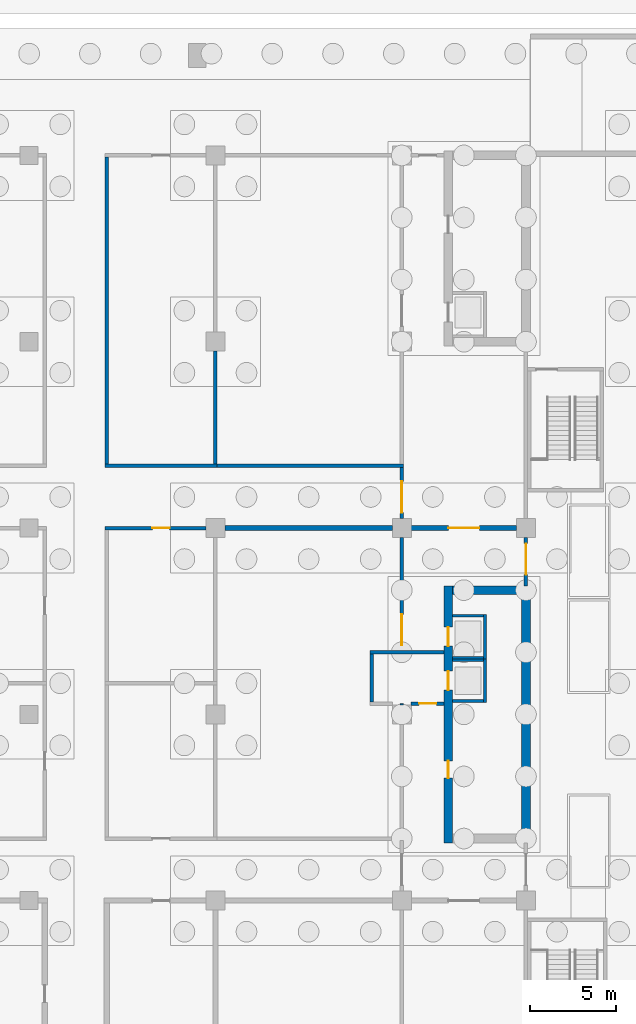
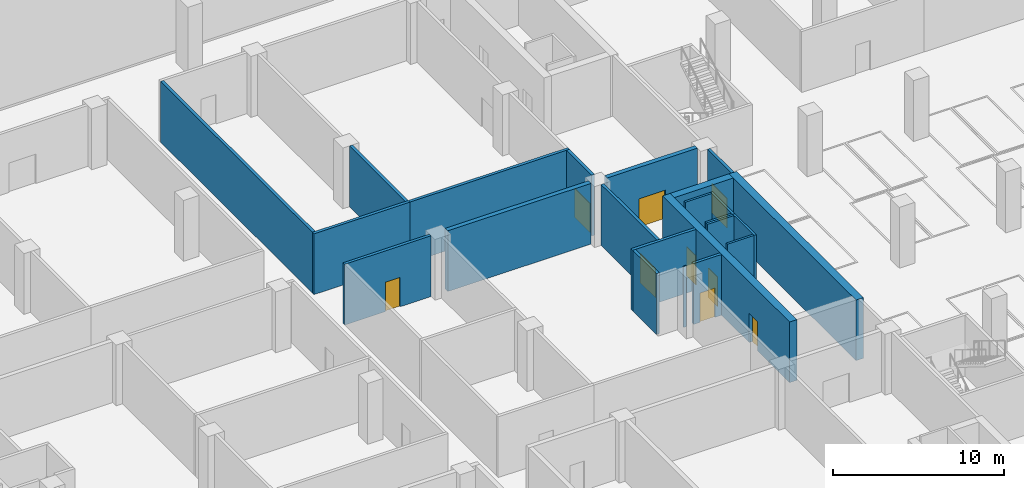
# One storey, part 9 of 18: 23 walls, 9 doors, 9 openings.
"""IFC4 building model written with IfcOpenShell, lengths in metres."""

from ifc_helpers import new_model, si_unit, direction, frame, frame_2d, origin, place, context, subcontext, project, spatial, rectangle, extrude, material, layer, layer_set, type_object, element, fill, save


model = new_model("IFC4")

# Units and contexts
model_context = context("Model", 3, precision=1e-05, world=origin(), true_north=direction((0.0, 1.0)))
body_context = subcontext(model_context, "Body", "Model", "MODEL_VIEW")
ifc_project = project(units=[si_unit("LENGTHUNIT", "METRE"), si_unit("AREAUNIT", "SQUARE_METRE"), si_unit("VOLUMEUNIT", "CUBIC_METRE"), si_unit("PLANEANGLEUNIT", "RADIAN"), si_unit("MASSUNIT", "GRAM", prefix="KILO")], contexts=[model_context])

# Site, building, storey
site_placement = place(None, origin())
site = spatial("IfcSite", under=ifc_project, at=site_placement, CompositionType="ELEMENT")
building_placement = place(site_placement, origin())
building = spatial("IfcBuilding", under=site, at=building_placement, Name="Basin Gate Institute", CompositionType="ELEMENT")
storey_placement = place(building_placement, frame((0.0, 0.0, -9.60009765625)))
storey = spatial("IfcBuildingStorey", under=building, at=storey_placement, Name="B2", CompositionType="ELEMENT", Elevation=-9.60009765625)

# Wall, opening, door
ifc_material_1 = material(Name="Concrete 50 MPa", Category="concrete")
ifc_layer_1 = layer(ifc_material_1, 0.199951171875)
ifc_layer_set_1 = layer_set([ifc_layer_1], Name="Concrete 50 MPa")
wall_type_1 = type_object("IfcWallType", Name="Basement bearing wall W66 REI 180", PredefinedType="SOLIDWALL", material=ifc_layer_set_1)
wall_1_placement = place(storey_placement, frame((118.800048828125, 74.949951171875, 0.0), z_axis=(0.0, 0.0, 1.0), x_axis=(0.0, 1.0, 0.0)))
wall_1 = element("IfcWall", 1, at=wall_1_placement, inside=storey, type_object=wall_type_1, material=ifc_layer_set_1, Name="Service Corridor B2 East bearing wall", PredefinedType="SOLIDWALL", context=body_context, shape_type="SweptSolid", body=[
    extrude(rectangle(XDim=2.800048828125, YDim=0.199951171875, at=frame_2d((1.39990234375, 0.0))), origin(), (0.0, 0.0, 1.0), 4.35009765625),
])
opening_1_placement = place(wall_1_placement, frame((0.64990234375, 0.0, 0.0)))
opening_1 = element("IfcOpeningElement", 2, at=opening_1_placement, cuts=wall_1, Name="Opening DB228", PredefinedType="OPENING", context=body_context, shape_type="SweptSolid", body=[
    extrude(rectangle(XDim=1.800048828125, YDim=2.10009765625, at=frame_2d((0.89990234375, 1.050048828125))), frame((0.0, 0.10986328125, 0.0), z_axis=(0.0, -1.0, 0.0), x_axis=(1.0, 0.0, 0.0)), (0.0, 0.0, 1.0), 0.219970703125),
])
ifc_material_2 = material(Name="Steel door set", Category="steel")
door_type_1 = type_object("IfcDoorType", Name="Double fire door FD120 1800x2100", OperationType="DOUBLE_DOOR_SINGLE_SWING", PredefinedType="DOOR", material=ifc_material_2)
door_1_placement = place(opening_1_placement, origin())
door_1 = element("IfcDoor", 3, at=door_1_placement, inside=storey, type_object=door_type_1, material=ifc_material_2, Name="Door DB228 Service Corridor B2 East", OperationType="DOUBLE_DOOR_SINGLE_SWING", OverallHeight=2.10009765625, OverallWidth=1.800048828125, PredefinedType="DOOR", context=body_context, shape_type="SweptSolid", body=[
    extrude(rectangle(XDim=1.800048828125, YDim=2.10009765625, at=frame_2d((0.89990234375, 1.050048828125))), frame((0.0, 0.02490234375, 0.0), z_axis=(0.0, -1.0, 0.0), x_axis=(1.0, 0.0, 0.0)), (0.0, 0.0, 1.0), 0.050048828125),
])
fill(opening_1, door_1)

ifc_material_3 = material(Name="Blockwork", Category="masonry")
ifc_layer_2 = layer(ifc_material_3, 0.199951171875)
ifc_layer_set_2 = layer_set([ifc_layer_2], Name="Basement fire partition EI 120")
wall_type_2 = type_object("IfcWallType", Name="Basement fire partition EI 120", PredefinedType="PARTITIONING", material=ifc_layer_set_2)
wall_2_placement = place(storey_placement, frame((94.39990234375, 78.300048828125, 0.0), z_axis=(0.0, 0.0, 1.0), x_axis=(1.0, 0.0, 0.0)))
wall_2 = element("IfcWall", 4, at=wall_2_placement, inside=storey, type_object=wall_type_2, material=ifc_layer_set_2, Name="Process Gas Store fire-resisting wall", PredefinedType="PARTITIONING", context=body_context, shape_type="SweptSolid", body=[
    extrude(rectangle(XDim=5.85009765625, YDim=0.199951171875, at=frame_2d((2.925048828125, 0.0))), origin(), (0.0, 0.0, 1.0), 4.35009765625),
])
opening_2_placement = place(wall_2_placement, frame((2.75, 0.0, 0.0)))
opening_2 = element("IfcOpeningElement", 5, at=opening_2_placement, cuts=wall_2, Name="Opening DB208", PredefinedType="OPENING", context=body_context, shape_type="SweptSolid", body=[
    extrude(rectangle(XDim=1.0, YDim=2.10009765625, at=frame_2d((0.5, 1.050048828125))), frame((0.0, 0.10986328125, 0.0), z_axis=(0.0, -1.0, 0.0), x_axis=(1.0, 0.0, 0.0)), (0.0, 0.0, 1.0), 0.219970703125),
])
ifc_material_4 = material(Name="Steel door set", Category="steel")
door_type_2 = type_object("IfcDoorType", Name="Fire door FD120 1000x2100", OperationType="NOTDEFINED", PredefinedType="DOOR", material=ifc_material_4)
door_2_placement = place(opening_2_placement, frame((1.0, 0.0, 0.0), z_axis=(0.0, 0.0, 1.0), x_axis=(-1.0, 0.0, 0.0)))
door_2 = element("IfcDoor", 6, at=door_2_placement, inside=storey, type_object=door_type_2, material=ifc_material_4, Name="Door DB208 Process Gas Store", OperationType="SINGLE_SWING_LEFT", OverallHeight=2.10009765625, OverallWidth=1.0, PredefinedType="DOOR", context=body_context, shape_type="SweptSolid", body=[
    extrude(rectangle(XDim=1.0, YDim=2.10009765625, at=frame_2d((0.5, 1.050048828125))), frame((0.0, 0.02490234375, 0.0), z_axis=(0.0, -1.0, 0.0), x_axis=(1.0, 0.0, 0.0)), (0.0, 0.0, 1.0), 0.050048828125),
])
fill(opening_2, door_2)

# Walls
wall_3_placement = place(storey_placement, frame((94.39990234375, 81.89990234375, 0.0), z_axis=(0.0, 0.0, 1.0), x_axis=(1.0, 0.0, 0.0)))
element("IfcWall", 7, at=wall_3_placement, inside=storey, type_object=wall_type_2, material=ifc_layer_set_2, Name="Liquid Nitrogen Plant fire-resisting wall", PredefinedType="PARTITIONING", context=body_context, shape_type="SweptSolid", body=[
    extrude(rectangle(XDim=6.5, YDim=0.199951171875, at=frame_2d((3.25, 0.0))), origin(), (0.0, 0.0, 1.0), 4.35009765625),
])
wall_4_placement = place(storey_placement, frame((100.89990234375, 81.89990234375, 0.0), z_axis=(0.0, 0.0, 1.0), x_axis=(1.0, 0.0, 0.0)))
element("IfcWall", 8, at=wall_4_placement, inside=storey, type_object=wall_type_2, material=ifc_layer_set_2, Name="Archive B2 fire-resisting wall", PredefinedType="PARTITIONING", context=body_context, shape_type="SweptSolid", body=[
    extrude(rectangle(XDim=10.800048828125, YDim=0.199951171875, at=frame_2d((5.39990234375, 0.0))), origin(), (0.0, 0.0, 1.0), 4.35009765625),
])
wall_5_placement = place(storey_placement, frame((94.5, 82.0, 0.0), z_axis=(0.0, 0.0, 1.0), x_axis=(0.0, 1.0, 0.0)))
element("IfcWall", 9, at=wall_5_placement, inside=storey, type_object=wall_type_2, material=ifc_layer_set_2, Name="Liquid Nitrogen Plant fire-resisting wall", PredefinedType="PARTITIONING", context=body_context, shape_type="SweptSolid", body=[
    extrude(rectangle(XDim=17.800048828125, YDim=0.199951171875, at=frame_2d((8.89990234375, 0.0))), origin(), (0.0, 0.0, 1.0), 4.35009765625),
])
wall_6_placement = place(storey_placement, frame((100.800048828125, 82.0, 0.0), z_axis=(0.0, 0.0, 1.0), x_axis=(0.0, 1.0, 0.0)))
element("IfcWall", 10, at=wall_6_placement, inside=storey, type_object=wall_type_2, material=ifc_layer_set_2, Name="Liquid Nitrogen Plant fire-resisting wall", PredefinedType="PARTITIONING", context=body_context, shape_type="SweptSolid", body=[
    extrude(rectangle(XDim=6.550048828125, YDim=0.199951171875, at=frame_2d((3.27490234375, 0.0))), origin(), (0.0, 0.0, 1.0), 4.35009765625),
])
wall_7_placement = place(storey_placement, frame((111.60009765625, 68.050048828125, 0.0), z_axis=(0.0, 0.0, 1.0), x_axis=(0.0, 1.0, 0.0)))
element("IfcWall", 11, at=wall_7_placement, inside=storey, type_object=wall_type_2, material=ifc_layer_set_2, Name="Cryogenics Store fire-resisting wall", PredefinedType="PARTITIONING", context=body_context, shape_type="SweptSolid", body=[
    extrude(rectangle(XDim=0.074951171875, YDim=0.199951171875, at=frame_2d((0.03759765625, 0.0))), origin(), (0.0, 0.0, 1.0), 4.35009765625),
])

# Wall, opening, door
wall_8_placement = place(storey_placement, frame((111.60009765625, 71.199951171875, 0.0), z_axis=(0.0, 0.0, 1.0), x_axis=(0.0, 1.0, 0.0)))
wall_8 = element("IfcWall", 12, at=wall_8_placement, inside=storey, type_object=wall_type_2, material=ifc_layer_set_2, Name="Cryogenics Store fire-resisting wall", PredefinedType="PARTITIONING", context=body_context, shape_type="SweptSolid", body=[
    extrude(rectangle(XDim=6.550048828125, YDim=0.199951171875, at=frame_2d((3.27490234375, 0.0))), origin(), (0.0, 0.0, 1.0), 4.35009765625),
])
opening_3_placement = place(wall_8_placement, frame((0.300048828125, 0.0, 0.0)))
opening_3 = element("IfcOpeningElement", 13, at=opening_3_placement, cuts=wall_8, Name="Opening DB219", PredefinedType="OPENING", context=body_context, shape_type="SweptSolid", body=[
    extrude(rectangle(XDim=1.800048828125, YDim=2.10009765625, at=frame_2d((0.89990234375, 1.050048828125))), frame((0.0, 0.10986328125, 0.0), z_axis=(0.0, -1.0, 0.0), x_axis=(1.0, 0.0, 0.0)), (0.0, 0.0, 1.0), 0.219970703125),
])
door_3_placement = place(opening_3_placement, origin())
door_3 = element("IfcDoor", 14, at=door_3_placement, inside=storey, type_object=door_type_1, material=ifc_material_2, Name="Door DB219 Cryogenics Store", OperationType="DOUBLE_DOOR_SINGLE_SWING", OverallHeight=2.10009765625, OverallWidth=1.800048828125, PredefinedType="DOOR", context=body_context, shape_type="SweptSolid", body=[
    extrude(rectangle(XDim=1.800048828125, YDim=2.10009765625, at=frame_2d((0.89990234375, 1.050048828125))), frame((0.0, 0.02490234375, 0.0), z_axis=(0.0, -1.0, 0.0), x_axis=(1.0, 0.0, 0.0)), (0.0, 0.0, 1.0), 0.050048828125),
])
fill(opening_3, door_3)

ifc_material_5 = material(Name="Blockwork", Category="masonry")
ifc_layer_3 = layer(ifc_material_5, 0.199951171875)
ifc_layer_set_3 = layer_set([ifc_layer_3], Name="Basement fire partition EI 60")
wall_type_3 = type_object("IfcWallType", Name="Basement fire partition EI 60", PredefinedType="PARTITIONING", material=ifc_layer_set_3)
wall_9_placement = place(storey_placement, frame((112.14990234375, 68.125, 0.0), z_axis=(0.0, 0.0, 1.0), x_axis=(1.0, 0.0, 0.0)))
wall_9 = element("IfcWall", 15, at=wall_9_placement, inside=storey, type_object=wall_type_3, material=ifc_layer_set_3, Name="Emergency Lift Lobby B2 LF2 fire-resisting wall", PredefinedType="PARTITIONING", context=body_context, shape_type="SweptSolid", body=[
    extrude(rectangle(XDim=1.900146484375, YDim=0.199951171875, at=frame_2d((0.9501953125, 0.0))), origin(), (0.0, 0.0, 1.0), 4.35009765625),
])
opening_4_placement = place(wall_9_placement, frame((0.449951171875, 0.0, 0.0)))
opening_4 = element("IfcOpeningElement", 16, at=opening_4_placement, cuts=wall_9, Name="Opening DB240", PredefinedType="OPENING", context=body_context, shape_type="SweptSolid", body=[
    extrude(rectangle(XDim=1.0, YDim=2.10009765625, at=frame_2d((0.5, 1.050048828125))), frame((0.0, 0.10986328125, 0.0), z_axis=(0.0, -1.0, 0.0), x_axis=(1.0, 0.0, 0.0)), (0.0, 0.0, 1.0), 0.219970703125),
])
ifc_material_6 = material(Name="Steel door set", Category="steel")
door_type_3 = type_object("IfcDoorType", Name="Fire door FD60 1000x2100", OperationType="NOTDEFINED", PredefinedType="DOOR", material=ifc_material_6)
door_4_placement = place(opening_4_placement, frame((1.0, 0.0, 0.0), z_axis=(0.0, 0.0, 1.0), x_axis=(-1.0, 0.0, 0.0)))
door_4 = element("IfcDoor", 17, at=door_4_placement, inside=storey, type_object=door_type_3, material=ifc_material_6, Name="Door DB240 Emergency Lift Lobby B2 LF2", OperationType="SINGLE_SWING_LEFT", OverallHeight=2.10009765625, OverallWidth=1.0, PredefinedType="DOOR", context=body_context, shape_type="SweptSolid", body=[
    extrude(rectangle(XDim=1.0, YDim=2.10009765625, at=frame_2d((0.5, 1.050048828125))), frame((0.0, 0.02490234375, 0.0), z_axis=(0.0, -1.0, 0.0), x_axis=(1.0, 0.0, 0.0)), (0.0, 0.0, 1.0), 0.050048828125),
])
fill(opening_4, door_4)

# Walls
wall_10_placement = place(storey_placement, frame((109.75, 71.10009765625, 0.0), z_axis=(0.0, 0.0, 1.0), x_axis=(1.0, 0.0, 0.0)))
element("IfcWall", 18, at=wall_10_placement, inside=storey, type_object=wall_type_3, material=ifc_layer_set_3, Name="Emergency Lift Lobby B2 LF2 fire-resisting wall", PredefinedType="PARTITIONING", context=body_context, shape_type="SweptSolid", body=[
    extrude(rectangle(XDim=4.300048828125, YDim=0.199951171875, at=frame_2d((2.14990234375, 0.0))), origin(), (0.0, 0.0, 1.0), 4.35009765625),
])
wall_11_placement = place(storey_placement, frame((109.85009765625, 68.22509765625, 0.0), z_axis=(0.0, 0.0, 1.0), x_axis=(0.0, 1.0, 0.0)))
element("IfcWall", 19, at=wall_11_placement, inside=storey, type_object=wall_type_3, material=ifc_layer_set_3, Name="Emergency Lift Lobby B2 LF2 fire-resisting wall", PredefinedType="PARTITIONING", context=body_context, shape_type="SweptSolid", body=[
    extrude(rectangle(XDim=2.77490234375, YDim=0.199951171875, at=frame_2d((1.387451171875, 0.0))), origin(), (0.0, 0.0, 1.0), 4.35009765625),
])

# Wall, opening, door
wall_12_placement = place(storey_placement, frame((111.60009765625, 78.85009765625, 0.0), z_axis=(0.0, 0.0, 1.0), x_axis=(0.0, 1.0, 0.0)))
wall_12 = element("IfcWall", 20, at=wall_12_placement, inside=storey, type_object=wall_type_3, material=ifc_layer_set_3, Name="Service Corridor B2 East fire-resisting wall", PredefinedType="PARTITIONING", context=body_context, shape_type="SweptSolid", body=[
    extrude(rectangle(XDim=2.949951171875, YDim=0.199951171875, at=frame_2d((1.47509765625, 0.0))), origin(), (0.0, 0.0, 1.0), 4.35009765625),
])
opening_5_placement = place(wall_12_placement, frame((0.35009765625, 0.0, 0.0)))
opening_5 = element("IfcOpeningElement", 21, at=opening_5_placement, cuts=wall_12, Name="Opening DB232", PredefinedType="OPENING", context=body_context, shape_type="SweptSolid", body=[
    extrude(rectangle(XDim=1.800048828125, YDim=2.10009765625, at=frame_2d((0.89990234375, 1.050048828125))), frame((0.0, 0.10986328125, 0.0), z_axis=(0.0, -1.0, 0.0), x_axis=(1.0, 0.0, 0.0)), (0.0, 0.0, 1.0), 0.219970703125),
])
ifc_material_7 = material(Name="Steel door set", Category="steel")
door_type_4 = type_object("IfcDoorType", Name="Double fire door FD60 1800x2100", OperationType="DOUBLE_DOOR_SINGLE_SWING", PredefinedType="DOOR", material=ifc_material_7)
door_5_placement = place(opening_5_placement, origin())
door_5 = element("IfcDoor", 22, at=door_5_placement, inside=storey, type_object=door_type_4, material=ifc_material_7, Name="Door DB232 Service Corridor B2 East", OperationType="DOUBLE_DOOR_SINGLE_SWING", OverallHeight=2.10009765625, OverallWidth=1.800048828125, PredefinedType="DOOR", context=body_context, shape_type="SweptSolid", body=[
    extrude(rectangle(XDim=1.800048828125, YDim=2.10009765625, at=frame_2d((0.89990234375, 1.050048828125))), frame((0.0, 0.02490234375, 0.0), z_axis=(0.0, -1.0, 0.0), x_axis=(1.0, 0.0, 0.0)), (0.0, 0.0, 1.0), 0.050048828125),
])
fill(opening_5, door_5)

# Walls
ifc_material_8 = material(Name="Concrete 40 MPa", Category="concrete")
ifc_layer_4 = layer(ifc_material_8, 0.14990234375)
ifc_layer_set_4 = layer_set([ifc_layer_4], Name="Concrete 40 MPa")
wall_type_4 = type_object("IfcWallType", Name="Wall LS1 lift shaft enclosure R180", PredefinedType="SOLIDWALL", material=ifc_layer_set_4)
wall_13_placement = place(storey_placement, frame((116.425048828125, 68.199951171875, 0.0), z_axis=(0.0, 0.0, 1.0), x_axis=(0.0, 1.0, 0.0)))
element("IfcWall", 23, at=wall_13_placement, inside=storey, type_object=wall_type_4, material=ifc_layer_set_4, Name="Lift shaft enclosure LF2 B2 UL", PredefinedType="SOLIDWALL", context=body_context, shape_type="SweptSolid", body=[
    extrude(rectangle(XDim=2.5, YDim=0.14990234375, at=frame_2d((1.25, 0.0))), origin(), (0.0, 0.0, 1.0), 4.800048828125),
])
for number, where, z_axis, x_axis, name in (
    (24, (116.35009765625, 68.27490234375, 0.0), (0.0, 0.0, 1.0), (-1.0, 0.0, 0.0), "Lift shaft enclosure LF2 B2 RL"),
    (25, (116.35009765625, 70.625, 0.0), (0.0, 0.0, 1.0), (-1.0, 0.0, 0.0), "Lift shaft enclosure LF2 B2 RH"),
):
    element("IfcWall", number, at=place(storey_placement, frame(where, z_axis=z_axis, x_axis=x_axis)), inside=storey, type_object=wall_type_4, material=ifc_layer_set_4, Name=name, PredefinedType="SOLIDWALL", context=body_context, shape_type="SweptSolid", body=[
        extrude(rectangle(XDim=1.800048828125, YDim=0.14990234375, at=frame_2d((0.89990234375, 0.0))), origin(), (0.0, 0.0, 1.0), 4.800048828125),
    ])
wall_14_placement = place(storey_placement, frame((116.425048828125, 70.699951171875, 0.0), z_axis=(0.0, 0.0, 1.0), x_axis=(0.0, 1.0, 0.0)))
element("IfcWall", 26, at=wall_14_placement, inside=storey, type_object=wall_type_4, material=ifc_layer_set_4, Name="Lift shaft enclosure LP5 B2 UL", PredefinedType="SOLIDWALL", context=body_context, shape_type="SweptSolid", body=[
    extrude(rectangle(XDim=2.60009765625, YDim=0.14990234375, at=frame_2d((1.300048828125, 0.0))), origin(), (0.0, 0.0, 1.0), 4.800048828125),
])
for number, where, z_axis, x_axis, name in (
    (27, (116.35009765625, 70.77490234375, 0.0), (0.0, 0.0, 1.0), (-1.0, 0.0, 0.0), "Lift shaft enclosure LP5 B2 RL"),
    (28, (116.35009765625, 73.22509765625, 0.0), (0.0, 0.0, 1.0), (-1.0, 0.0, 0.0), "Lift shaft enclosure LP5 B2 RH"),
):
    element("IfcWall", number, at=place(storey_placement, frame(where, z_axis=z_axis, x_axis=x_axis)), inside=storey, type_object=wall_type_4, material=ifc_layer_set_4, Name=name, PredefinedType="SOLIDWALL", context=body_context, shape_type="SweptSolid", body=[
        extrude(rectangle(XDim=1.800048828125, YDim=0.14990234375, at=frame_2d((0.89990234375, 0.0))), origin(), (0.0, 0.0, 1.0), 4.800048828125),
    ])
ifc_material_9 = material(Name="Concrete 60 MPa", Category="concrete")
ifc_layer_5 = layer(ifc_material_9, 0.5)
ifc_layer_set_5 = layer_set([ifc_layer_5], Name="Concrete 60 MPa")
wall_type_5 = type_object("IfcWallType", Name="Wall SW1 R180", PredefinedType="SHEAR", material=ifc_layer_set_5)
wall_15_placement = place(storey_placement, frame((118.800048828125, 60.050048828125, 0.0), z_axis=(0.0, 0.0, 1.0), x_axis=(0.0, 1.0, 0.0)))
element("IfcWall", 29, at=wall_15_placement, inside=storey, type_object=wall_type_5, material=ifc_layer_set_5, Name="WALL/B2/EM/L", PredefinedType="SHEAR", context=body_context, shape_type="SweptSolid", body=[
    extrude(rectangle(XDim=14.89990234375, YDim=0.5, at=frame_2d((7.449951171875, 0.0))), origin(), (0.0, 0.0, 1.0), 4.35009765625),
])

# Wall, openings, doors
wall_16_placement = place(storey_placement, frame((114.300048828125, 60.050048828125, 0.0), z_axis=(0.0, 0.0, 1.0), x_axis=(0.0, 1.0, 0.0)))
wall_16 = element("IfcWall", 30, at=wall_16_placement, inside=storey, type_object=wall_type_5, material=ifc_layer_set_5, Name="WALL/B2/EM/C", PredefinedType="SHEAR", context=body_context, shape_type="SweptSolid", body=[
    extrude(rectangle(XDim=14.89990234375, YDim=0.5, at=frame_2d((7.449951171875, 0.0))), origin(), (0.0, 0.0, 1.0), 4.35009765625),
])
opening_6_placement = place(wall_16_placement, frame((8.85009765625, 0.0, 0.0)))
opening_6 = element("IfcOpeningElement", 31, at=opening_6_placement, cuts=wall_16, Name="Opening LD081", PredefinedType="OPENING", context=body_context, shape_type="SweptSolid", body=[
    extrude(rectangle(XDim=1.10009765625, YDim=2.10009765625, at=frame_2d((0.550048828125, 1.050048828125))), frame((0.0, 0.260009765625, 0.0), z_axis=(0.0, -1.0, 0.0), x_axis=(1.0, 0.0, 0.0)), (0.0, 0.0, 1.0), 0.52001953125),
])
opening_7_placement = place(wall_16_placement, frame((11.39990234375, 0.0, 0.0)))
opening_7 = element("IfcOpeningElement", 32, at=opening_7_placement, cuts=wall_16, Name="Opening LD093", PredefinedType="OPENING", context=body_context, shape_type="SweptSolid", body=[
    extrude(rectangle(XDim=1.10009765625, YDim=2.10009765625, at=frame_2d((0.550048828125, 1.050048828125))), frame((0.0, 0.260009765625, 0.0), z_axis=(0.0, -1.0, 0.0), x_axis=(1.0, 0.0, 0.0)), (0.0, 0.0, 1.0), 0.52001953125),
])
opening_8_placement = place(wall_16_placement, frame((3.75, 0.0, 0.0)))
opening_8 = element("IfcOpeningElement", 33, at=opening_8_placement, cuts=wall_16, Name="Opening DB239", PredefinedType="OPENING", context=body_context, shape_type="SweptSolid", body=[
    extrude(rectangle(XDim=1.0, YDim=2.10009765625, at=frame_2d((0.5, 1.050048828125))), frame((0.0, 0.260009765625, 0.0), z_axis=(0.0, -1.0, 0.0), x_axis=(1.0, 0.0, 0.0)), (0.0, 0.0, 1.0), 0.52001953125),
])
ifc_material_10 = material(Name="Stainless steel", Category="steel")
door_type_5 = type_object("IfcDoorType", Name="FD60 Lift landing door LD", OperationType="SLIDING_TO_LEFT", PredefinedType="DOOR", material=ifc_material_10)
door_6_placement = place(opening_6_placement, origin())
door_6 = element("IfcDoor", 34, at=door_6_placement, inside=storey, type_object=door_type_5, material=ifc_material_10, Name="Lift landing door LF2 B2", OperationType="SLIDING_TO_LEFT", OverallHeight=2.10009765625, OverallWidth=1.10009765625, PredefinedType="DOOR", context=body_context, shape_type="SweptSolid", body=[
    extrude(rectangle(XDim=1.10009765625, YDim=2.10009765625, at=frame_2d((0.550048828125, 1.050048828125))), frame((0.0, 0.02490234375, 0.0), z_axis=(0.0, -1.0, 0.0), x_axis=(1.0, 0.0, 0.0)), (0.0, 0.0, 1.0), 0.050048828125),
])
fill(opening_6, door_6)
door_7_placement = place(opening_7_placement, origin())
door_7 = element("IfcDoor", 35, at=door_7_placement, inside=storey, type_object=door_type_5, material=ifc_material_10, Name="Lift landing door LP5 B2", OperationType="SLIDING_TO_LEFT", OverallHeight=2.10009765625, OverallWidth=1.10009765625, PredefinedType="DOOR", context=body_context, shape_type="SweptSolid", body=[
    extrude(rectangle(XDim=1.10009765625, YDim=2.10009765625, at=frame_2d((0.550048828125, 1.050048828125))), frame((0.0, 0.02490234375, 0.0), z_axis=(0.0, -1.0, 0.0), x_axis=(1.0, 0.0, 0.0)), (0.0, 0.0, 1.0), 0.050048828125),
])
fill(opening_7, door_7)
door_8_placement = place(opening_8_placement, frame((1.0, 0.0, 0.0), z_axis=(0.0, 0.0, 1.0), x_axis=(-1.0, 0.0, 0.0)))
door_8 = element("IfcDoor", 36, at=door_8_placement, inside=storey, type_object=door_type_3, material=ifc_material_6, Name="Door DB239 Mechanical Riser Room B2 EM", OperationType="SINGLE_SWING_RIGHT", OverallHeight=2.10009765625, OverallWidth=1.0, PredefinedType="DOOR", context=body_context, shape_type="SweptSolid", body=[
    extrude(rectangle(XDim=1.0, YDim=2.10009765625, at=frame_2d((0.5, 1.050048828125))), frame((0.0, 0.02490234375, 0.0), z_axis=(0.0, -1.0, 0.0), x_axis=(1.0, 0.0, 0.0)), (0.0, 0.0, 1.0), 0.050048828125),
])
fill(opening_8, door_8)

# Wall
wall_17_placement = place(storey_placement, frame((118.550048828125, 74.699951171875, 0.0), z_axis=(0.0, 0.0, 1.0), x_axis=(-1.0, 0.0, 0.0)))
element("IfcWall", 37, at=wall_17_placement, inside=storey, type_object=wall_type_5, material=ifc_layer_set_5, Name="WALL/B2/EM/N", PredefinedType="SHEAR", context=body_context, shape_type="SweptSolid", body=[
    extrude(rectangle(XDim=4.0, YDim=0.5, at=frame_2d((2.0, 0.0))), origin(), (0.0, 0.0, 1.0), 4.35009765625),
])

# Wall, opening, door
ifc_material_11 = material(Name="Concrete 50 MPa", Category="concrete")
ifc_layer_6 = layer(ifc_material_11, 0.300048828125)
ifc_layer_set_6 = layer_set([ifc_layer_6], Name="Concrete 50 MPa")
wall_type_6 = type_object("IfcWallType", Name="Wall XW1 R180", PredefinedType="SHEAR", material=ifc_layer_set_6)
wall_18_placement = place(storey_placement, frame((118.25, 78.300048828125, 0.0), z_axis=(0.0, 0.0, 1.0), x_axis=(-1.0, 0.0, 0.0)))
wall_18 = element("IfcWall", 38, at=wall_18_placement, inside=storey, type_object=wall_type_6, material=ifc_layer_set_6, Name="WALL/B2/EXE/1", PredefinedType="SHEAR", context=body_context, shape_type="SweptSolid", body=[
    extrude(rectangle(XDim=6.10009765625, YDim=0.300048828125, at=frame_2d((3.050048828125, 0.0))), origin(), (0.0, 0.0, 1.0), 4.35009765625),
])
opening_9_placement = place(wall_18_placement, frame((2.14990234375, 0.0, 0.0)))
opening_9 = element("IfcOpeningElement", 39, at=opening_9_placement, cuts=wall_18, Name="Opening DB251", PredefinedType="OPENING", context=body_context, shape_type="SweptSolid", body=[
    extrude(rectangle(XDim=1.800048828125, YDim=2.10009765625, at=frame_2d((0.89990234375, 1.050048828125))), frame((0.0, 0.16015625, 0.0), z_axis=(0.0, -1.0, 0.0), x_axis=(1.0, 0.0, 0.0)), (0.0, 0.0, 1.0), 0.320068359375),
])
door_9_placement = place(opening_9_placement, origin())
door_9 = element("IfcDoor", 40, at=door_9_placement, inside=storey, type_object=door_type_4, material=ifc_material_7, Name="Door DB251 Service Corridor B2 East compartment wall", OperationType="DOUBLE_DOOR_SINGLE_SWING", OverallHeight=2.10009765625, OverallWidth=1.800048828125, PredefinedType="DOOR", context=body_context, shape_type="SweptSolid", body=[
    extrude(rectangle(XDim=1.800048828125, YDim=2.10009765625, at=frame_2d((0.89990234375, 1.050048828125))), frame((0.0, 0.02490234375, 0.0), z_axis=(0.0, -1.0, 0.0), x_axis=(1.0, 0.0, 0.0)), (0.0, 0.0, 1.0), 0.050048828125),
])
fill(opening_9, door_9)

# Wall
wall_19_placement = place(storey_placement, frame((111.050048828125, 78.300048828125, 0.0), z_axis=(0.0, 0.0, 1.0), x_axis=(-1.0, 0.0, 0.0)))
element("IfcWall", 41, at=wall_19_placement, inside=storey, type_object=wall_type_6, material=ifc_layer_set_6, Name="WALL/B2/EXE/2", PredefinedType="SHEAR", context=body_context, shape_type="SweptSolid", body=[
    extrude(rectangle(XDim=9.699951171875, YDim=0.300048828125, at=frame_2d((4.85009765625, 0.0))), origin(), (0.0, 0.0, 1.0), 4.35009765625),
])

save(model, "model.ifc")
